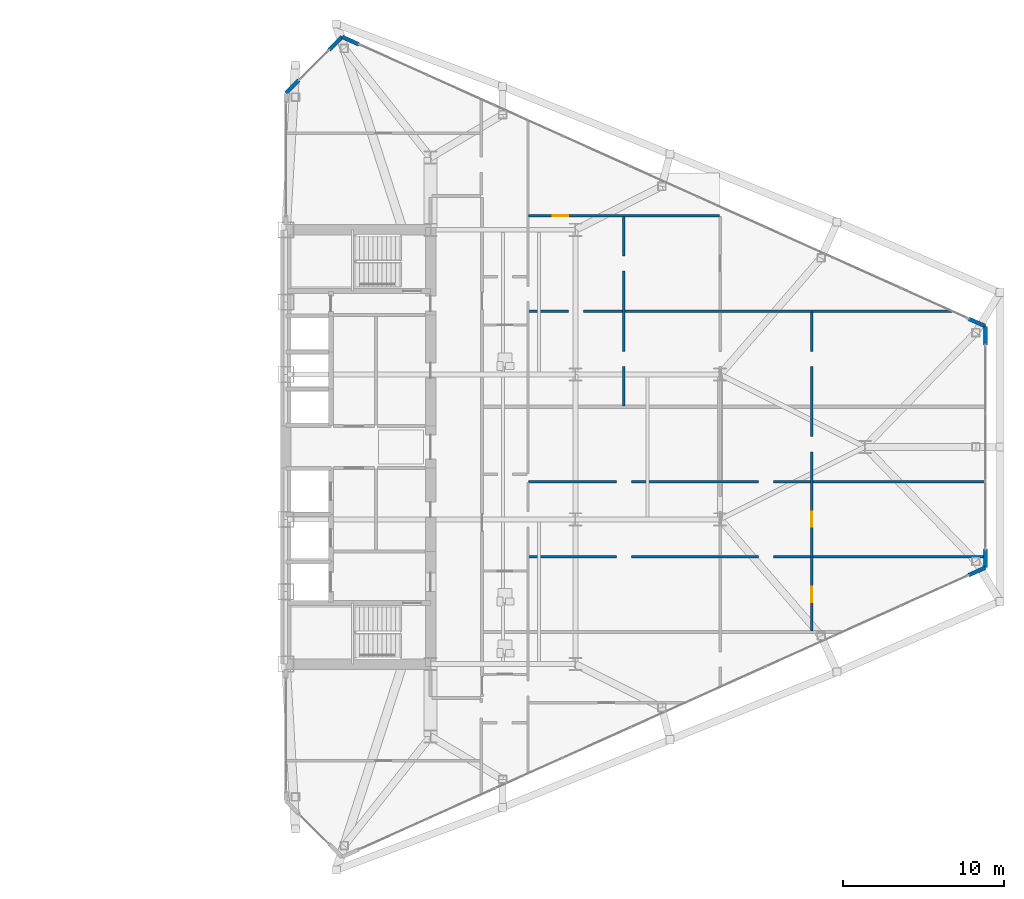
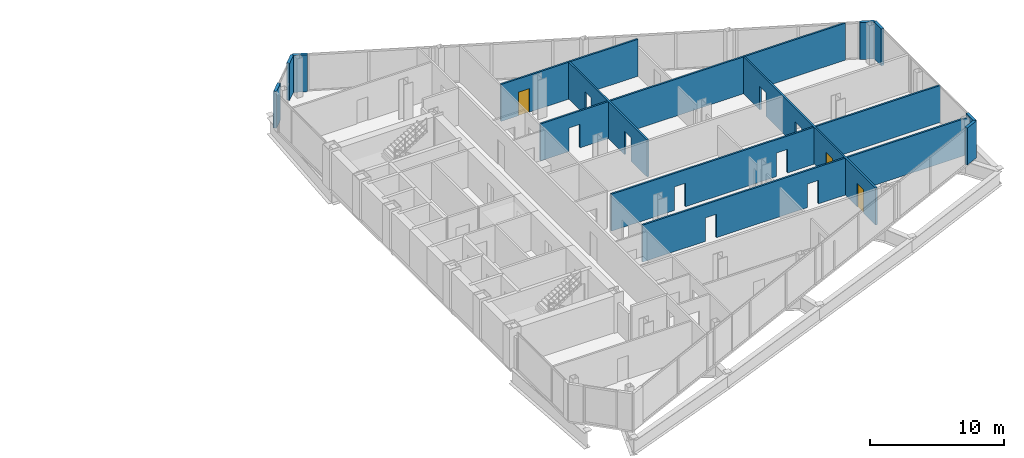
# One storey, part 25 of 29: 13 walls, 3 doors, 12 openings.
"""IFC4 building model written with IfcOpenShell, lengths in metres."""

from ifc_helpers import new_model, si_unit, direction, frame, frame_2d, origin, place, context, subcontext, project, spatial, rectangle, extrude, source, transform, mapped, material, layer, layer_set, type_object, type_shapes, element, fill, save


model = new_model("IFC4")

# Units and contexts
model_context = context("Model", 3, precision=1e-05, world=origin(), true_north=direction((0.0, 1.0)))
body_context = subcontext(model_context, "Body", "Model", "MODEL_VIEW")
ifc_project = project(units=[si_unit("LENGTHUNIT", "METRE"), si_unit("AREAUNIT", "SQUARE_METRE"), si_unit("VOLUMEUNIT", "CUBIC_METRE"), si_unit("PLANEANGLEUNIT", "RADIAN"), si_unit("MASSUNIT", "GRAM", prefix="KILO")], contexts=[model_context])

# Site, building, storey
site_placement = place(None, origin())
site = spatial("IfcSite", under=ifc_project, at=site_placement, CompositionType="ELEMENT")
building_placement = place(site_placement, origin())
building = spatial("IfcBuilding", under=site, at=building_placement, Name="Seokmaru Belvedere", CompositionType="ELEMENT")
storey_placement = place(building_placement, frame((0.0, 0.0, 62.10009765625)))
storey = spatial("IfcBuildingStorey", under=building, at=storey_placement, Name="L16", CompositionType="ELEMENT", Elevation=62.10009765625)

# Wall, openings
ifc_material_1 = material(Name="Fire-Rated Gypsum Shaftwall")
ifc_layer_1 = layer(ifc_material_1, 0.14990234375)
ifc_layer_set_1 = layer_set([ifc_layer_1], Name="Fire-Rated Gypsum Shaftwall")
wall_type_1 = type_object("IfcWallType", Name="Apartment Fire-Acoustic Room Partition 150", PredefinedType="PARTITIONING", material=ifc_layer_set_1)
wall_1_placement = place(storey_placement, frame((42.60009765625, -6.830078125, 0.0), z_axis=(0.0, 0.0, 1.0), x_axis=(1.0, 0.0, 0.0)))
wall_1 = element("IfcWall", 1, at=wall_1_placement, inside=storey, type_object=wall_type_1, Name="L16 Interior Partition 015", PredefinedType="PARTITIONING", context=body_context, shape_type="SweptSolid", body=[
    extrude(rectangle(XDim=28.27490234375, YDim=0.14990234375, at=frame_2d((14.137451171875, 0.0))), origin(), (0.0, 0.0, 1.0), 3.3798828125),
])
opening_1_placement = place(wall_1_placement, frame((5.449951171875, 0.0, 0.0)))
element("IfcOpeningElement", 2, at=opening_1_placement, cuts=wall_1, Name="L16 Cased Opening 039", PredefinedType="OPENING", context=body_context, shape_type="SweptSolid", body=[
    extrude(rectangle(XDim=0.949951171875, YDim=2.14990234375, at=frame_2d((0.47509765625, 1.074951171875))), frame((0.0, 0.0849609375, 0.0), z_axis=(0.0, -1.0, 0.0), x_axis=(1.0, 0.0, 0.0)), (0.0, 0.0, 1.0), 0.169921875),
])
opening_2_placement = place(wall_1_placement, frame((14.27490234375, 0.0, 0.0)))
element("IfcOpeningElement", 3, at=opening_2_placement, cuts=wall_1, Name="L16 Cased Opening 041", PredefinedType="OPENING", context=body_context, shape_type="SweptSolid", body=[
    extrude(rectangle(XDim=0.949951171875, YDim=2.14990234375, at=frame_2d((0.47509765625, 1.074951171875))), frame((0.0, 0.0849609375, 0.0), z_axis=(0.0, -1.0, 0.0), x_axis=(1.0, 0.0, 0.0)), (0.0, 0.0, 1.0), 0.169921875),
])

wall_2_placement = place(storey_placement, frame((42.60009765625, -2.169921875, 0.0), z_axis=(0.0, 0.0, 1.0), x_axis=(1.0, 0.0, 0.0)))
wall_2 = element("IfcWall", 4, at=wall_2_placement, inside=storey, type_object=wall_type_1, Name="L16 Interior Partition 017", PredefinedType="PARTITIONING", context=body_context, shape_type="SweptSolid", body=[
    extrude(rectangle(XDim=28.434814453125, YDim=0.14990234375, at=frame_2d((14.21728515625, 0.0))), origin(), (0.0, 0.0, 1.0), 3.3798828125),
])
opening_3_placement = place(wall_2_placement, frame((5.449951171875, 0.0, 0.0)))
element("IfcOpeningElement", 5, at=opening_3_placement, cuts=wall_2, Name="L16 Cased Opening 040", PredefinedType="OPENING", context=body_context, shape_type="SweptSolid", body=[
    extrude(rectangle(XDim=0.949951171875, YDim=2.14990234375, at=frame_2d((0.47509765625, 1.074951171875))), frame((0.0, 0.0849609375, 0.0), z_axis=(0.0, -1.0, 0.0), x_axis=(1.0, 0.0, 0.0)), (0.0, 0.0, 1.0), 0.169921875),
])
opening_4_placement = place(wall_2_placement, frame((14.27490234375, 0.0, 0.0)))
element("IfcOpeningElement", 6, at=opening_4_placement, cuts=wall_2, Name="L16 Cased Opening 044", PredefinedType="OPENING", context=body_context, shape_type="SweptSolid", body=[
    extrude(rectangle(XDim=0.949951171875, YDim=2.14990234375, at=frame_2d((0.47509765625, 1.074951171875))), frame((0.0, 0.0849609375, 0.0), z_axis=(0.0, -1.0, 0.0), x_axis=(1.0, 0.0, 0.0)), (0.0, 0.0, 1.0), 0.169921875),
])

# Wall, opening
wall_3_placement = place(storey_placement, frame((42.60009765625, 8.429931640625, 0.0), z_axis=(0.0, 0.0, 1.0), x_axis=(1.0, 0.0, 0.0)))
wall_3 = element("IfcWall", 7, at=wall_3_placement, inside=storey, type_object=wall_type_1, Name="L16 Interior Partition 025", PredefinedType="PARTITIONING", context=body_context, shape_type="SweptSolid", body=[
    extrude(rectangle(XDim=26.35888671875, YDim=0.14990234375, at=frame_2d((13.179443359375, 0.0))), origin(), (0.0, 0.0, 1.0), 3.3798828125),
])
opening_5_placement = place(wall_3_placement, frame((2.46240234375, 0.0, 0.0)))
element("IfcOpeningElement", 8, at=opening_5_placement, cuts=wall_3, Name="L16 Cased Opening 050", PredefinedType="OPENING", context=body_context, shape_type="SweptSolid", body=[
    extrude(rectangle(XDim=0.949951171875, YDim=2.14990234375, at=frame_2d((0.47509765625, 1.074951171875))), frame((0.0, 0.0849609375, 0.0), z_axis=(0.0, -1.0, 0.0), x_axis=(1.0, 0.0, 0.0)), (0.0, 0.0, 1.0), 0.169921875),
])

# Wall, opening, door
wall_4_placement = place(storey_placement, frame((42.60009765625, 14.3701171875, 0.0), z_axis=(0.0, 0.0, 1.0), x_axis=(1.0, 0.0, 0.0)))
wall_4 = element("IfcWall", 9, at=wall_4_placement, inside=storey, type_object=wall_type_1, Name="L16 Interior Partition 028", PredefinedType="PARTITIONING", context=body_context, shape_type="SweptSolid", body=[
    extrude(rectangle(XDim=11.849853515625, YDim=0.14990234375, at=frame_2d((5.9248046875, 0.0))), origin(), (0.0, 0.0, 1.0), 3.3798828125),
])
opening_6_placement = place(wall_4_placement, frame((1.49951171875, 0.0, 0.0)))
opening_6 = element("IfcOpeningElement", 10, at=opening_6_placement, cuts=wall_4, Name="Opening D05", PredefinedType="OPENING", context=body_context, shape_type="SweptSolid", body=[
    extrude(rectangle(XDim=0.949951171875, YDim=2.14990234375, at=frame_2d((0.47509765625, 1.074951171875))), frame((0.0, 0.0849609375, 0.0), z_axis=(0.0, -1.0, 0.0), x_axis=(1.0, 0.0, 0.0)), (0.0, 0.0, 1.0), 0.169921875),
])
ifc_material_2 = material(Name="Engineered White Oak Timber", Category="wood")
door_type = type_object("IfcDoorType", Name="Apartment Interior Fire-Rated Oak Door 950x2150", OperationType="NOTDEFINED", PredefinedType="DOOR", material=ifc_material_2)
shared_shape = source(origin(), body_context, "Body", "SweptSolid", [
    extrude(rectangle(XDim=0.949951171875, YDim=2.14990234375, at=frame_2d((0.47509765625, 1.074951171875))), frame((0.0, 0.02490234375, 0.0), z_axis=(0.0, -1.0, 0.0), x_axis=(1.0, 0.0, 0.0)), (0.0, 0.0, 1.0), 0.050048828125),
])
type_shapes(door_type, [shared_shape])
door_1_placement = place(opening_6_placement, origin())
door_1 = element("IfcDoor", 11, at=door_1_placement, inside=storey, type_object=door_type, Name="L16 Interior Door 052", OperationType="SINGLE_SWING_LEFT", OverallHeight=2.14990234375, OverallWidth=0.949951171875, PredefinedType="DOOR", context=body_context, shape_type="MappedRepresentation", body=[
    mapped(shared_shape, transform((0.0, 0.0, 0.0), scale=1.0)),
])
fill(opening_6, door_1)

# Wall, openings
wall_5_placement = place(storey_placement, frame((48.52001953125, 2.550048828125, 0.0), z_axis=(0.0, 0.0, 1.0), x_axis=(0.0, 1.0, 0.0)))
wall_5 = element("IfcWall", 12, at=wall_5_placement, inside=storey, type_object=wall_type_1, Name="L16 Interior Partition 047", PredefinedType="PARTITIONING", context=body_context, shape_type="SweptSolid", body=[
    extrude(rectangle(XDim=11.76806640625, YDim=0.14990234375, at=frame_2d((5.884033203125, 0.0))), origin(), (0.0, 0.0, 1.0), 3.3798828125),
])
opening_7_placement = place(wall_5_placement, frame((8.376220703125, 0.0, 0.0)))
element("IfcOpeningElement", 13, at=opening_7_placement, cuts=wall_5, Name="L16 Cased Opening 051", PredefinedType="OPENING", context=body_context, shape_type="SweptSolid", body=[
    extrude(rectangle(XDim=0.949951171875, YDim=2.14990234375, at=frame_2d((0.47509765625, 1.074951171875))), frame((0.0, 0.0849609375, 0.0), z_axis=(0.0, -1.0, 0.0), x_axis=(1.0, 0.0, 0.0)), (0.0, 0.0, 1.0), 0.169921875),
])
opening_8_placement = place(wall_5_placement, frame((2.442138671875, 0.0, 0.0)))
element("IfcOpeningElement", 14, at=opening_8_placement, cuts=wall_5, Name="L16 Cased Opening 054", PredefinedType="OPENING", context=body_context, shape_type="SweptSolid", body=[
    extrude(rectangle(XDim=0.949951171875, YDim=2.14990234375, at=frame_2d((0.47509765625, 1.074951171875))), frame((0.0, 0.0849609375, 0.0), z_axis=(0.0, -1.0, 0.0), x_axis=(1.0, 0.0, 0.0)), (0.0, 0.0, 1.0), 0.169921875),
])

# Wall, openings, doors
wall_6_placement = place(storey_placement, frame((60.199951171875, -11.449951171875, 0.0), z_axis=(0.0, 0.0, 1.0), x_axis=(0.0, 1.0, 0.0)))
wall_6 = element("IfcWall", 15, at=wall_6_placement, inside=storey, type_object=wall_type_1, Name="L16 Interior Partition 049", PredefinedType="PARTITIONING", context=body_context, shape_type="SweptSolid", body=[
    extrude(rectangle(XDim=19.833984375, YDim=0.14990234375, at=frame_2d((9.9169921875, 0.0))), origin(), (0.0, 0.0, 1.0), 3.3798828125),
])
opening_9_placement = place(wall_6_placement, frame((1.808349609375, 0.0, 0.0)))
opening_9 = element("IfcOpeningElement", 16, at=opening_9_placement, cuts=wall_6, Name="Opening D05", PredefinedType="OPENING", context=body_context, shape_type="SweptSolid", body=[
    extrude(rectangle(XDim=0.949951171875, YDim=2.14990234375, at=frame_2d((0.47509765625, 1.074951171875))), frame((0.0, 0.0849609375, 0.0), z_axis=(0.0, -1.0, 0.0), x_axis=(1.0, 0.0, 0.0)), (0.0, 0.0, 1.0), 0.169921875),
])
opening_10_placement = place(wall_6_placement, frame((6.47509765625, 0.0, 0.0)))
opening_10 = element("IfcOpeningElement", 17, at=opening_10_placement, cuts=wall_6, Name="Opening D05", PredefinedType="OPENING", context=body_context, shape_type="SweptSolid", body=[
    extrude(rectangle(XDim=0.949951171875, YDim=2.14990234375, at=frame_2d((0.47509765625, 1.074951171875))), frame((0.0, 0.0849609375, 0.0), z_axis=(0.0, -1.0, 0.0), x_axis=(1.0, 0.0, 0.0)), (0.0, 0.0, 1.0), 0.169921875),
])
opening_11_placement = place(wall_6_placement, frame((11.1416015625, 0.0, 0.0)))
element("IfcOpeningElement", 18, at=opening_11_placement, cuts=wall_6, Name="L16 Cased Opening 045", PredefinedType="OPENING", context=body_context, shape_type="SweptSolid", body=[
    extrude(rectangle(XDim=0.949951171875, YDim=2.14990234375, at=frame_2d((0.47509765625, 1.074951171875))), frame((0.0, 0.0849609375, 0.0), z_axis=(0.0, -1.0, 0.0), x_axis=(1.0, 0.0, 0.0)), (0.0, 0.0, 1.0), 0.169921875),
])
opening_12_placement = place(wall_6_placement, frame((16.442138671875, 0.0, 0.0)))
element("IfcOpeningElement", 19, at=opening_12_placement, cuts=wall_6, Name="L16 Cased Opening 056", PredefinedType="OPENING", context=body_context, shape_type="SweptSolid", body=[
    extrude(rectangle(XDim=0.949951171875, YDim=2.14990234375, at=frame_2d((0.47509765625, 1.074951171875))), frame((0.0, 0.0849609375, 0.0), z_axis=(0.0, -1.0, 0.0), x_axis=(1.0, 0.0, 0.0)), (0.0, 0.0, 1.0), 0.169921875),
])
door_2_placement = place(opening_9_placement, origin())
door_2 = element("IfcDoor", 20, at=door_2_placement, inside=storey, type_object=door_type, Name="L16 Interior Door 042", OperationType="SINGLE_SWING_LEFT", OverallHeight=2.14990234375, OverallWidth=0.949951171875, PredefinedType="DOOR", context=body_context, shape_type="MappedRepresentation", body=[
    mapped(shared_shape, transform((0.0, 0.0, 0.0), scale=1.0)),
])
fill(opening_9, door_2)
door_3_placement = place(opening_10_placement, origin())
door_3 = element("IfcDoor", 21, at=door_3_placement, inside=storey, type_object=door_type, Name="L16 Interior Door 043", OperationType="SINGLE_SWING_LEFT", OverallHeight=2.14990234375, OverallWidth=0.949951171875, PredefinedType="DOOR", context=body_context, shape_type="MappedRepresentation", body=[
    mapped(shared_shape, transform((0.0, 0.0, 0.0), scale=1.0)),
])
fill(opening_10, door_3)

# Walls
ifc_material_3 = material(Name="Anodised Bronze Aluminium", Category="aluminium")
ifc_layer_2 = layer(ifc_material_3, 0.239990234375)
ifc_layer_set_2 = layer_set([ifc_layer_2], Name="Anodised Bronze Aluminium")
wall_type_2 = type_object("IfcWallType", Name="Tower Corner Spandrel Closure Wall 240", PredefinedType="SOLIDWALL", material=ifc_layer_set_2)
for number, where, z_axis, x_axis, name in (
    (22, (69.951416015625, -7.971923828125, 0.0), (0.0, 0.0, 1.0), (0.911929519623, 0.410346866979, 0.0), "L16 E Corner Closure Pier 1B"),
    (23, (71.0, -7.489990234375, 0.0), (0.0, 0.0, 1.0), (0.0, 1.0, 0.0), "L16 E Corner Closure Pier 2A"),
    (24, (71.0, 6.35009765625, 0.0), (0.0, 0.0, 1.0), (0.0, 1.0, 0.0), "L16 E Corner Closure Pier 2B"),
    (25, (70.990966796875, 7.504150390625, 0.0), (0.0, 0.0, 1.0), (-0.911929519623, 0.410346866979, 0.0), "L16 E Corner Closure Pier 3A"),
    (26, (32.048583984375, 25.028076171875, 0.0), (0.0, 0.0, 1.0), (-0.911929519623, 0.410346866979, 0.0), "L16 E Corner Closure Pier 3B"),
):
    element("IfcWall", number, at=place(storey_placement, frame(where, z_axis=z_axis, x_axis=x_axis)), inside=storey, type_object=wall_type_2, Name=name, PredefinedType="SOLIDWALL", context=body_context, shape_type="SweptSolid", body=[
        extrude(rectangle(XDim=1.139892578125, YDim=0.239990234375, at=frame_2d((0.56982421875, 0.0))), origin(), (0.0, 0.0, 1.0), 3.3798828125),
    ])
for number, where, z_axis, x_axis, name in (
    (27, (30.992919921875, 25.492919921875, 0.0), (0.0, 0.0, 1.0), (-0.707106781187, -0.707106781187, 0.0), "L16 E Corner Closure Pier 4A"),
    (28, (28.313232421875, 22.813232421875, 0.0), (0.0, 0.0, 1.0), (-0.707106781187, -0.707106781187, 0.0), "L16 E Corner Closure Pier 4B"),
):
    element("IfcWall", number, at=place(storey_placement, frame(where, z_axis=z_axis, x_axis=x_axis)), inside=storey, type_object=wall_type_2, Name=name, PredefinedType="SOLIDWALL", context=body_context, shape_type="SweptSolid", body=[
        extrude(rectangle(XDim=1.14013671875, YDim=0.239990234375, at=frame_2d((0.570068359375, 0.0))), origin(), (0.0, 0.0, 1.0), 3.3798828125),
    ])

save(model, "model.ifc")
